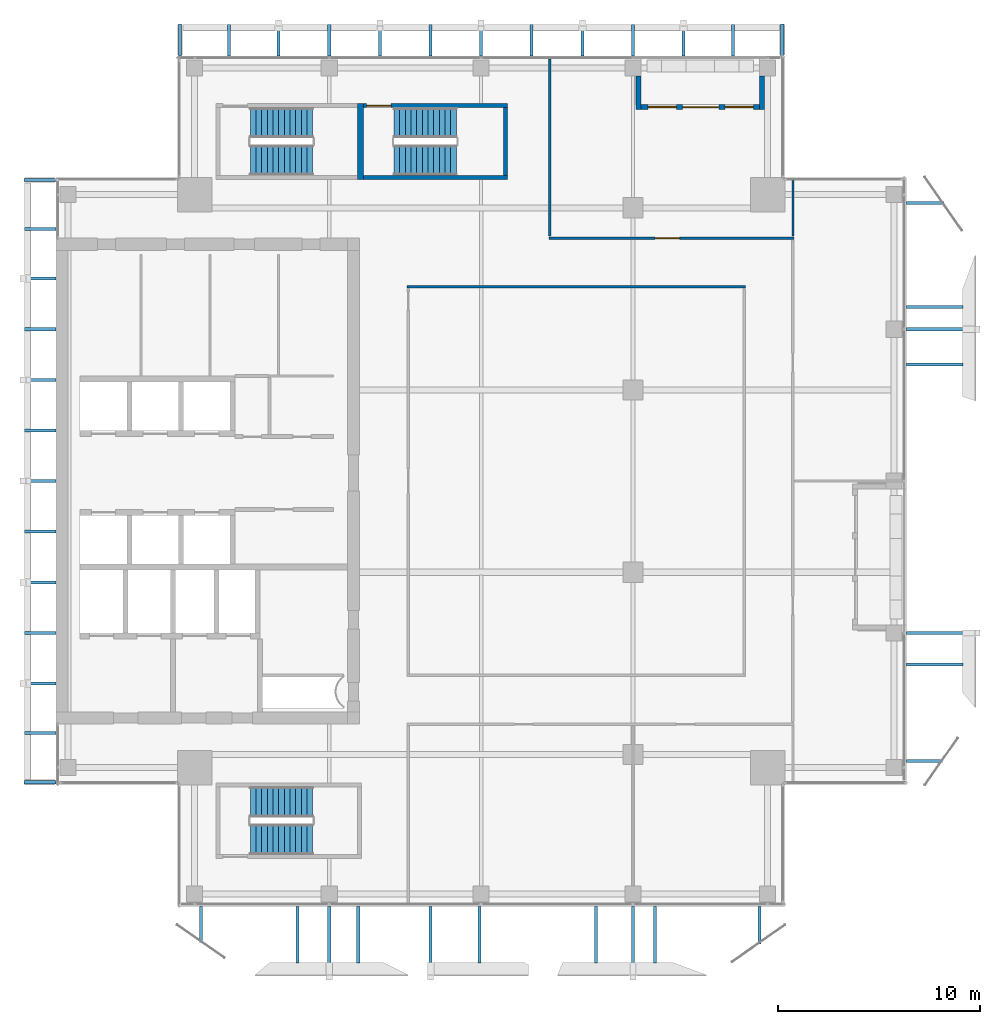
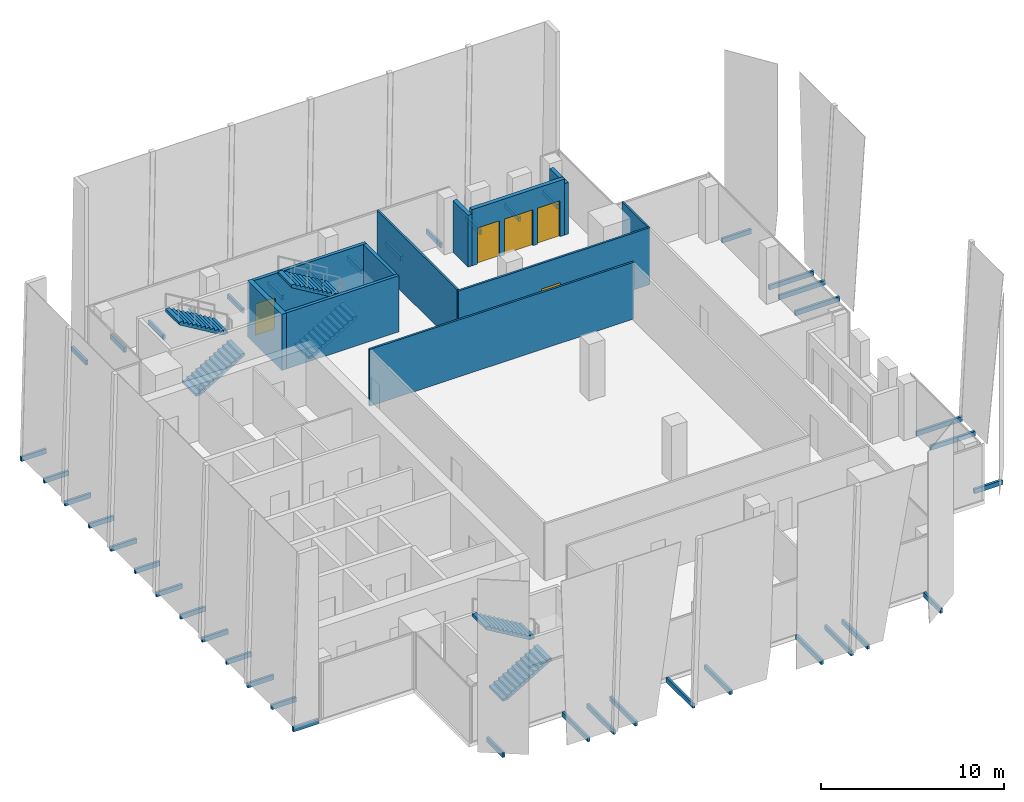
# One storey, part 28 of 32: 43 discrete accessories, 11 walls, 6 stair flights, 3 doors, 2 windows, 5 openings, 3 elements without a shape of their own.
"""IFC4 building model written with IfcOpenShell, lengths in metres."""

from ifc_helpers import new_model, si_unit, direction, frame, frame_2d, origin, origin_2d, place, context, subcontext, project, spatial, polyline, rectangle, outline, extrude, source, transform, mapped, material, layer, layer_set, type_object, element, fill, aggregate, save


model = new_model("IFC4")

# Units and contexts
model_context = context("Model", 3, precision=1e-05, world=origin(), true_north=direction((0.0, 1.0)))
body_context = subcontext(model_context, "Body", "Model", "MODEL_VIEW")
ifc_project = project(units=[si_unit("LENGTHUNIT", "METRE"), si_unit("AREAUNIT", "SQUARE_METRE"), si_unit("VOLUMEUNIT", "CUBIC_METRE"), si_unit("PLANEANGLEUNIT", "RADIAN"), si_unit("MASSUNIT", "GRAM", prefix="KILO")], contexts=[model_context])

# Site, building, storey
site_placement = place(None, origin())
site = spatial("IfcSite", under=ifc_project, at=site_placement, CompositionType="ELEMENT")
building_placement = place(site_placement, origin())
building = spatial("IfcBuilding", under=site, at=building_placement, Name="Khomas Fold Tower", CompositionType="ELEMENT")
storey_placement = place(building_placement, frame((0.0, 0.0, 318.199951171875)))
storey = spatial("IfcBuildingStorey", under=building, at=storey_placement, Name="L72", CompositionType="ELEMENT", Elevation=318.199951171875)

# Wall, opening, door
ifc_material_1 = material(Name="Concrete C50/60", Category="concrete")
ifc_layer_1 = layer(ifc_material_1, 0.199951171875)
ifc_layer_set_1 = layer_set([ifc_layer_1], Name="Concrete C50/60")
wall_type_1 = type_object("IfcWallType", Name="Stair wall 200", PredefinedType="SHEAR", material=ifc_layer_set_1)
shared_shape_1 = source(origin(), body_context, "Body", "SweptSolid", [
    extrude(rectangle(XDim=7.10009765625, YDim=0.199951171875, at=frame_2d((3.550048828125, 0.0))), origin(), (0.0, 0.0, 1.0), 3.75),
])
wall_1_placement = place(storey_placement, frame((21.199951171875, 45.550048828125, 0.0), z_axis=(0.0, 0.0, 1.0), x_axis=(1.0, 0.0, 0.0)))
wall_1 = element("IfcWall", 1, at=wall_1_placement, inside=storey, type_object=wall_type_1, Name="Stair wall SW-ST3-N", PredefinedType="SHEAR", context=body_context, shape_type="MappedRepresentation", body=[
    mapped(shared_shape_1, transform((0.0, 0.0, 0.0))),
])
shared_shape_2 = source(origin(), body_context, "Body", "SweptSolid", [
    extrude(rectangle(XDim=1.199951171875, YDim=2.10009765625, at=frame_2d((0.60009765625, 1.050048828125))), frame((0.0, 0.10986328125, 0.0), z_axis=(0.0, -1.0, 0.0), x_axis=(1.0, 0.0, 0.0)), (0.0, 0.0, 1.0), 0.219970703125),
])
opening_1_placement = place(wall_1_placement, frame((0.14990234375, 0.0, 0.0)))
opening_1 = element("IfcOpeningElement", 2, at=opening_1_placement, cuts=wall_1, Name="Opening SD-ST3", PredefinedType="OPENING", context=body_context, shape_type="MappedRepresentation", body=[
    mapped(shared_shape_2, transform((0.0, 0.0, 0.0))),
])
ifc_material_2 = material(Name="Steel door leaf", Category="steel")
door_type_1 = type_object("IfcDoorType", Name="Stair door 1200x2100 left-hand", OperationType="SINGLE_SWING_LEFT", PredefinedType="DOOR", material=ifc_material_2)
shared_shape_3 = source(origin(), body_context, "Body", "SweptSolid", [
    extrude(rectangle(XDim=1.199951171875, YDim=2.10009765625, at=frame_2d((0.60009765625, 1.050048828125))), frame((0.0, 0.02490234375, 0.0), z_axis=(0.0, -1.0, 0.0), x_axis=(1.0, 0.0, 0.0)), (0.0, 0.0, 1.0), 0.050048828125),
])
door_1_placement = place(opening_1_placement, origin())
door_1 = element("IfcDoor", 3, at=door_1_placement, inside=storey, type_object=door_type_1, Name="Stair door", OperationType="SINGLE_SWING_LEFT", OverallHeight=2.10009765625, OverallWidth=1.199951171875, PredefinedType="DOOR", context=body_context, shape_type="MappedRepresentation", body=[
    mapped(shared_shape_3, transform((0.0, 0.0, 0.0))),
])
fill(opening_1, door_1)

# Walls
wall_2_placement = place(storey_placement, frame((21.199951171875, 42.0, 0.0), z_axis=(0.0, 0.0, 1.0), x_axis=(1.0, 0.0, 0.0)))
element("IfcWall", 4, at=wall_2_placement, inside=storey, type_object=wall_type_1, Name="Stair wall SW-ST3-S", PredefinedType="SHEAR", context=body_context, shape_type="MappedRepresentation", body=[
    mapped(shared_shape_1, transform((0.0, 0.0, 0.0))),
])
ifc_material_3 = material(Name="Concrete C50/60", Category="concrete")
ifc_layer_2 = layer(ifc_material_3, 0.300048828125)
ifc_layer_set_2 = layer_set([ifc_layer_2], Name="Concrete C50/60")
wall_type_2 = type_object("IfcWallType", Name="Stair wall 300", PredefinedType="SHEAR", material=ifc_layer_set_2)
shared_shape_4 = source(origin(), body_context, "Body", "SweptSolid", [
    extrude(rectangle(XDim=3.75, YDim=0.300048828125, at=frame_2d((1.875, 0.0))), origin(), (0.0, 0.0, 1.0), 3.75),
])
wall_3_placement = place(storey_placement, frame((21.050048828125, 41.89990234375, 0.0), z_axis=(0.0, 0.0, 1.0), x_axis=(0.0, 1.0, 0.0)))
element("IfcWall", 5, at=wall_3_placement, inside=storey, type_object=wall_type_2, Name="Stair wall SW-ST1-E", PredefinedType="SHEAR", context=body_context, shape_type="MappedRepresentation", body=[
    mapped(shared_shape_4, transform((0.0, 0.0, 0.0))),
])
shared_shape_5 = source(origin(), body_context, "Body", "SweptSolid", [
    extrude(rectangle(XDim=3.349853515625, YDim=0.199951171875, at=frame_2d((1.6748046875, 0.0))), origin(), (0.0, 0.0, 1.0), 3.75),
])
wall_4_placement = place(storey_placement, frame((28.199951171875, 42.10009765625, 0.0), z_axis=(0.0, 0.0, 1.0), x_axis=(0.0, 1.0, 0.0)))
element("IfcWall", 6, at=wall_4_placement, inside=storey, type_object=wall_type_1, Name="Stair wall SW-ST3-E", PredefinedType="SHEAR", context=body_context, shape_type="MappedRepresentation", body=[
    mapped(shared_shape_5, transform((0.0, 0.0, 0.0))),
])

# Wall, openings, door, windows
ifc_material_4 = material(Name="Natural stone", Category="masonry")
ifc_layer_3 = layer(ifc_material_4, 0.0400390625)
ifc_material_5 = material(Name="Mineral wool insulation", Category="insulation")
ifc_layer_4 = layer(ifc_material_5, 0.10009765625)
ifc_material_6 = material(Name="Masonry", Category="masonry")
ifc_layer_5 = layer(ifc_material_6, 0.110107421875)
ifc_layer_set_3 = layer_set([ifc_layer_3, ifc_layer_4, ifc_layer_5], Name="Stone-faced insulated masonry")
wall_type_3 = type_object("IfcWallType", Name="BL-Balcony wall", PredefinedType="SOLIDWALL", material=ifc_layer_set_3)
shared_shape_6 = source(origin(), body_context, "Body", "SweptSolid", [
    extrude(rectangle(XDim=5.85009765625, YDim=0.25, at=frame_2d((2.925048828125, 0.0))), origin(), (0.0, 0.0, 1.0), 3.75),
])
wall_5_placement = place(storey_placement, frame((34.89990234375, 45.47509765625, 0.0), z_axis=(0.0, 0.0, 1.0), x_axis=(1.0, 0.0, 0.0)))
wall_5 = element("IfcWall", 7, at=wall_5_placement, inside=storey, type_object=wall_type_3, Name="Balcony wall BAL-L72-N4", PredefinedType="SOLIDWALL", context=body_context, shape_type="MappedRepresentation", body=[
    mapped(shared_shape_6, transform((0.0, 0.0, 0.0))),
])
shared_shape_7 = source(origin(), body_context, "Body", "SweptSolid", [
    extrude(rectangle(XDim=1.39990234375, YDim=2.39990234375, at=frame_2d((0.699951171875, 1.199951171875))), frame((0.0, 0.135009765625, 0.0), z_axis=(0.0, -1.0, 0.0), x_axis=(1.0, 0.0, 0.0)), (0.0, 0.0, 1.0), 0.27001953125),
])
opening_2_placement = place(wall_5_placement, frame((0.35009765625, 0.0, 0.0)))
opening_2 = element("IfcOpeningElement", 8, at=opening_2_placement, cuts=wall_5, Name="Opening BL-W6", PredefinedType="OPENING", context=body_context, shape_type="MappedRepresentation", body=[
    mapped(shared_shape_7, transform((0.0, 0.0, 0.0))),
])
opening_3_placement = place(wall_5_placement, frame((4.14990234375, 0.0, 0.0)))
opening_3 = element("IfcOpeningElement", 9, at=opening_3_placement, cuts=wall_5, Name="Opening BL-W6", PredefinedType="OPENING", context=body_context, shape_type="MappedRepresentation", body=[
    mapped(shared_shape_7, transform((0.0, 0.0, 0.0))),
])
shared_shape_8 = source(origin(), body_context, "Body", "SweptSolid", [
    extrude(rectangle(XDim=1.800048828125, YDim=2.39990234375, at=frame_2d((0.89990234375, 1.199951171875))), frame((0.0, 0.135009765625, 0.0), z_axis=(0.0, -1.0, 0.0), x_axis=(1.0, 0.0, 0.0)), (0.0, 0.0, 1.0), 0.27001953125),
])
opening_4_placement = place(wall_5_placement, frame((2.050048828125, 0.0, 0.0)))
opening_4 = element("IfcOpeningElement", 10, at=opening_4_placement, cuts=wall_5, Name="Opening BD722", PredefinedType="OPENING", context=body_context, shape_type="MappedRepresentation", body=[
    mapped(shared_shape_8, transform((0.0, 0.0, 0.0))),
])
ifc_material_7 = material(Name="Aluminium framed double glazing", Category="aluminium")
door_type_2 = type_object("IfcDoorType", Name="BL-Glazed balcony door 1800 x 2400", OperationType="DOUBLE_DOOR_DOUBLE_SWING", PredefinedType="DOOR", material=ifc_material_7)
shared_shape_9 = source(origin(), body_context, "Body", "SweptSolid", [
    extrude(rectangle(XDim=1.800048828125, YDim=2.39990234375, at=frame_2d((0.89990234375, 1.199951171875))), frame((0.0, 0.02490234375, 0.0), z_axis=(0.0, -1.0, 0.0), x_axis=(1.0, 0.0, 0.0)), (0.0, 0.0, 1.0), 0.050048828125),
])
door_2_placement = place(opening_4_placement, origin())
door_2 = element("IfcDoor", 11, at=door_2_placement, inside=storey, type_object=door_type_2, Name="Balcony door BD722", OperationType="DOUBLE_DOOR_DOUBLE_SWING", OverallHeight=2.39990234375, OverallWidth=1.800048828125, PredefinedType="DOOR", context=body_context, shape_type="MappedRepresentation", body=[
    mapped(shared_shape_9, transform((0.0, 0.0, 0.0))),
])
fill(opening_4, door_2)
ifc_material_8 = material(Name="Aluminium framed double glazing", Category="aluminium")
window_type = type_object("IfcWindowType", Name="BL-Fixed glazing 1400 x 2400", PartitioningType="SINGLE_PANEL", PredefinedType="WINDOW", material=ifc_material_8)
shared_shape_10 = source(origin(), body_context, "Body", "SweptSolid", [
    extrude(rectangle(XDim=1.39990234375, YDim=2.39990234375, at=frame_2d((0.699951171875, 1.199951171875))), frame((0.0, 0.030029296875, 0.0), z_axis=(0.0, -1.0, 0.0), x_axis=(1.0, 0.0, 0.0)), (0.0, 0.0, 1.0), 0.06005859375),
])
window_1_placement = place(opening_2_placement, origin())
window_1 = element("IfcWindow", 12, at=window_1_placement, inside=storey, type_object=window_type, Name="Balcony glazing BAL-L72-N4-1", OverallHeight=2.39990234375, OverallWidth=1.39990234375, PartitioningType="SINGLE_PANEL", PredefinedType="WINDOW", context=body_context, shape_type="MappedRepresentation", body=[
    mapped(shared_shape_10, transform((0.0, 0.0, 0.0))),
])
fill(opening_2, window_1)
window_2_placement = place(opening_3_placement, origin())
window_2 = element("IfcWindow", 13, at=window_2_placement, inside=storey, type_object=window_type, Name="Balcony glazing BAL-L72-N4-2", OverallHeight=2.39990234375, OverallWidth=1.39990234375, PartitioningType="SINGLE_PANEL", PredefinedType="WINDOW", context=body_context, shape_type="MappedRepresentation", body=[
    mapped(shared_shape_10, transform((0.0, 0.0, 0.0))),
])
fill(opening_3, window_2)

# Walls
shared_shape_11 = source(origin(), body_context, "Body", "SweptSolid", [
    extrude(rectangle(XDim=1.64990234375, YDim=0.25, at=frame_2d((0.824951171875, 0.0))), origin(), (0.0, 0.0, 1.0), 3.449951171875),
])
for number, where, z_axis, x_axis, name in (
    (14, (34.77490234375, 47.0, 0.0), (0.0, 0.0, 1.0), (0.0, -1.0, 0.0), "Balcony return wall BAL-L72-N4-lo"),
    (15, (40.875, 47.0, 0.0), (0.0, 0.0, 1.0), (0.0, -1.0, 0.0), "Balcony return wall BAL-L72-N4-hi"),
):
    element("IfcWall", number, at=place(storey_placement, frame(where, z_axis=z_axis, x_axis=x_axis)), inside=storey, type_object=wall_type_3, Name=name, PredefinedType="SOLIDWALL", context=body_context, shape_type="MappedRepresentation", body=[
        mapped(shared_shape_11, transform((0.0, 0.0, 0.0))),
    ])
ifc_material_9 = material(Name="Plasterboard partition")
ifc_layer_6 = layer(ifc_material_9, 0.125)
ifc_layer_set_4 = layer_set([ifc_layer_6], Name="Plasterboard partition")
wall_type_4 = type_object("IfcWallType", Name="Partition PW2 125", PredefinedType="PARTITIONING", material=ifc_layer_set_4)
shared_shape_12 = source(origin(), body_context, "Body", "SweptSolid", [
    extrude(rectangle(XDim=8.75, YDim=0.125, at=frame_2d((4.375, 0.0))), origin(), (0.0, 0.0, 1.0), 3.800048828125),
])
wall_6_placement = place(storey_placement, frame((30.39990234375, 39.10009765625, 0.0), z_axis=(0.0, 0.0, 1.0), x_axis=(0.0, 1.0, 0.0)))
element("IfcWall", 16, at=wall_6_placement, inside=storey, type_object=wall_type_4, Name="Partition", PredefinedType="PARTITIONING", context=body_context, shape_type="MappedRepresentation", body=[
    mapped(shared_shape_12, transform((0.0, 0.0, 0.0))),
])
ifc_material_10 = material(Name="Plasterboard partition")
ifc_layer_7 = layer(ifc_material_10, 0.10009765625)
ifc_layer_set_5 = layer_set([ifc_layer_7], Name="Plasterboard partition")
wall_type_5 = type_object("IfcWallType", Name="Partition PW1 100", PredefinedType="PARTITIONING", material=ifc_layer_set_5)
shared_shape_13 = source(origin(), body_context, "Body", "SweptSolid", [
    extrude(rectangle(XDim=2.75, YDim=0.10009765625, at=frame_2d((1.375, 0.0))), origin(), (0.0, 0.0, 1.0), 3.800048828125),
])
wall_7_placement = place(storey_placement, frame((42.39990234375, 39.10009765625, 0.0), z_axis=(0.0, 0.0, 1.0), x_axis=(0.0, 1.0, 0.0)))
element("IfcWall", 17, at=wall_7_placement, inside=storey, type_object=wall_type_5, Name="Partition", PredefinedType="PARTITIONING", context=body_context, shape_type="MappedRepresentation", body=[
    mapped(shared_shape_13, transform((0.0, 0.0, 0.0))),
])
shared_shape_14 = source(origin(), body_context, "Body", "SweptSolid", [
    extrude(rectangle(XDim=16.699951171875, YDim=0.125, at=frame_2d((8.35009765625, 0.0))), origin(), (0.0, 0.0, 1.0), 3.800048828125),
])
wall_8_placement = place(storey_placement, frame((23.35009765625, 36.60009765625, 0.0), z_axis=(0.0, 0.0, 1.0), x_axis=(1.0, 0.0, 0.0)))
element("IfcWall", 18, at=wall_8_placement, inside=storey, type_object=wall_type_4, Name="Partition", PredefinedType="PARTITIONING", context=body_context, shape_type="MappedRepresentation", body=[
    mapped(shared_shape_14, transform((0.0, 0.0, 0.0))),
])

# Wall, opening, door
shared_shape_15 = source(origin(), body_context, "Body", "SweptSolid", [
    extrude(rectangle(XDim=12.099853515625, YDim=0.125, at=frame_2d((6.0498046875, 0.0))), origin(), (0.0, 0.0, 1.0), 3.800048828125),
])
wall_9_placement = place(storey_placement, frame((30.35009765625, 39.0, 0.0), z_axis=(0.0, 0.0, 1.0), x_axis=(1.0, 0.0, 0.0)))
wall_9 = element("IfcWall", 19, at=wall_9_placement, inside=storey, type_object=wall_type_4, Name="Partition", PredefinedType="PARTITIONING", context=body_context, shape_type="MappedRepresentation", body=[
    mapped(shared_shape_15, transform((0.0, 0.0, 0.0))),
])
shared_shape_16 = source(origin(), body_context, "Body", "SweptSolid", [
    extrude(rectangle(XDim=1.199951171875, YDim=2.10009765625, at=frame_2d((0.60009765625, 1.050048828125))), frame((0.0, 0.072509765625, 0.0), z_axis=(0.0, -1.0, 0.0), x_axis=(1.0, 0.0, 0.0)), (0.0, 0.0, 1.0), 0.14501953125),
])
opening_5_placement = place(wall_9_placement, frame((5.25, 0.0, 0.0)))
opening_5 = element("IfcOpeningElement", 20, at=opening_5_placement, cuts=wall_9, Name="Opening 0013", PredefinedType="OPENING", context=body_context, shape_type="MappedRepresentation", body=[
    mapped(shared_shape_16, transform((0.0, 0.0, 0.0))),
])
ifc_material_11 = material(Name="Timber door leaf", Category="wood")
door_type_3 = type_object("IfcDoorType", Name="Door 1200x2100 left-hand", OperationType="SINGLE_SWING_LEFT", PredefinedType="DOOR", material=ifc_material_11)
door_3_placement = place(opening_5_placement, origin())
door_3 = element("IfcDoor", 21, at=door_3_placement, inside=storey, type_object=door_type_3, Name="Door", OperationType="SINGLE_SWING_LEFT", OverallHeight=2.10009765625, OverallWidth=1.199951171875, PredefinedType="DOOR", context=body_context, shape_type="MappedRepresentation", body=[
    mapped(shared_shape_3, transform((0.0, 0.0, 0.0))),
])
fill(opening_5, door_3)

# Stair, stair flights
ifc_material_12 = material(Name="Concrete C40/50", Category="concrete")
stair_type_1 = type_object("IfcStairType", Name="Stair ST1", PredefinedType="HALF_TURN_STAIR", material=ifc_material_12)
stair_1_placement = place(storey_placement, origin())
stair_1 = element("IfcStair", 22, at=stair_1_placement, inside=storey, type_object=stair_type_1, Name="L72 ST1", PredefinedType="HALF_TURN_STAIR")
ifc_material_13 = material(Name="Concrete C40/50", Category="concrete")
stair_flight_type_1 = type_object("IfcStairFlightType", Name="Stair flight 1500 ST1", PredefinedType="STRAIGHT", material=ifc_material_13)
shared_shape_17 = source(origin(), body_context, "Body", "SweptSolid", [
    extrude(outline(polyline([(0.0, 0.0), (0.0, 0.012939453125), (0.0, 0.025634765625), (0.0, 0.03857421875), (0.0, 0.05126953125), (0.0, 0.064208984375), (0.0, 0.076904296875), (0.0, 0.08984375), (0.0, 0.1025390625), (0.0, 0.115478515625), (0.0, 0.128173828125), (0.0, 0.14111328125), (0.0, 0.15380859375), (0.0, 0.166748046875), (0.280029296875, 0.166748046875), (0.280029296875, 0.333251953125), (0.56005859375, 0.333251953125), (0.56005859375, 0.5), (0.840087890625, 0.5), (0.840087890625, 0.666748046875), (1.1201171875, 0.666748046875), (1.1201171875, 0.833251953125), (1.39990234375, 0.833251953125), (1.39990234375, 1.0), (1.679931640625, 1.0), (1.679931640625, 1.166748046875), (1.9599609375, 1.166748046875), (1.9599609375, 1.333251953125), (2.239990234375, 1.333251953125), (2.239990234375, 1.5), (2.52001953125, 1.5), (2.52001953125, 1.666748046875), (2.800048828125, 1.666748046875), (2.800048828125, 1.833251953125), (3.080078125, 1.833251953125), (3.080078125, 2.0), (3.080078125, 1.973876953125), (3.080078125, 1.947509765625), (3.080078125, 1.92138671875), (3.080078125, 1.89501953125), (3.080078125, 1.868896484375), (3.080078125, 1.842529296875), (3.080078125, 1.81640625), (3.080078125, 1.7900390625), (3.080078125, 1.763916015625), (3.080078125, 1.737548828125), (3.080078125, 1.71142578125), (3.080078125, 1.68505859375), (3.080078125, 1.658935546875), (0.29296875, 0.0), (0.0, 0.0)])), frame((0.0, 0.75, 0.0), z_axis=(0.0, -1.0, 0.0), x_axis=(1.0, 0.0, 0.0)), (0.0, 0.0, 1.0), 1.5),
])
stair_flight_1_placement = place(storey_placement, frame((15.60009765625, 42.85009765625, 0.0), z_axis=(0.0, 0.0, 1.0), x_axis=(1.0, 0.0, 0.0)))
stair_flight_1 = element("IfcStairFlight", 23, at=stair_flight_1_placement, type_object=stair_flight_type_1, Name="ST1 flight 1", NumberOfRisers=12, NumberOfTreads=11, PredefinedType="STRAIGHT", RiserHeight=0.166666667, TreadLength=0.28, context=body_context, shape_type="MappedRepresentation", body=[
    mapped(shared_shape_17, transform((0.0, 0.0, 0.0))),
])
stair_flight_2_placement = place(storey_placement, frame((18.679931640625, 44.699951171875, 2.0), z_axis=(0.0, 0.0, 1.0), x_axis=(-1.0, 0.0, 0.0)))
stair_flight_2 = element("IfcStairFlight", 24, at=stair_flight_2_placement, type_object=stair_flight_type_1, Name="ST1 flight 2", NumberOfRisers=12, NumberOfTreads=11, PredefinedType="STRAIGHT", RiserHeight=0.166666667, TreadLength=0.28, context=body_context, shape_type="MappedRepresentation", body=[
    mapped(shared_shape_17, transform((0.0, 0.0, 0.0))),
])
aggregate(stair_1, [stair_flight_1, stair_flight_2])

ifc_material_14 = material(Name="Concrete C40/50", Category="concrete")
stair_type_2 = type_object("IfcStairType", Name="Stair ST2", PredefinedType="HALF_TURN_STAIR", material=ifc_material_14)
stair_2_placement = place(storey_placement, origin())
stair_2 = element("IfcStair", 25, at=stair_2_placement, inside=storey, type_object=stair_type_2, Name="L72 ST2", PredefinedType="HALF_TURN_STAIR")
ifc_material_15 = material(Name="Concrete C40/50", Category="concrete")
stair_flight_type_2 = type_object("IfcStairFlightType", Name="Stair flight 1500 ST2", PredefinedType="STRAIGHT", material=ifc_material_15)
stair_flight_3_placement = place(storey_placement, frame((15.60009765625, 9.300048828125, 0.0), z_axis=(0.0, 0.0, 1.0), x_axis=(1.0, 0.0, 0.0)))
stair_flight_3 = element("IfcStairFlight", 26, at=stair_flight_3_placement, type_object=stair_flight_type_2, Name="ST2 flight 1", NumberOfRisers=12, NumberOfTreads=11, PredefinedType="STRAIGHT", RiserHeight=0.166666667, TreadLength=0.28, context=body_context, shape_type="MappedRepresentation", body=[
    mapped(shared_shape_17, transform((0.0, 0.0, 0.0))),
])
stair_flight_4_placement = place(storey_placement, frame((18.679931640625, 11.14990234375, 2.0), z_axis=(0.0, 0.0, 1.0), x_axis=(-1.0, 0.0, 0.0)))
stair_flight_4 = element("IfcStairFlight", 27, at=stair_flight_4_placement, type_object=stair_flight_type_2, Name="ST2 flight 2", NumberOfRisers=12, NumberOfTreads=11, PredefinedType="STRAIGHT", RiserHeight=0.166666667, TreadLength=0.28, context=body_context, shape_type="MappedRepresentation", body=[
    mapped(shared_shape_17, transform((0.0, 0.0, 0.0))),
])
aggregate(stair_2, [stair_flight_3, stair_flight_4])

ifc_material_16 = material(Name="Concrete C40/50", Category="concrete")
stair_type_3 = type_object("IfcStairType", Name="Stair ST3", PredefinedType="HALF_TURN_STAIR", material=ifc_material_16)
stair_3_placement = place(storey_placement, origin())
stair_3 = element("IfcStair", 28, at=stair_3_placement, inside=storey, type_object=stair_type_3, Name="L72 ST3", PredefinedType="HALF_TURN_STAIR")
ifc_material_17 = material(Name="Concrete C40/50", Category="concrete")
stair_flight_type_3 = type_object("IfcStairFlightType", Name="Stair flight 1500 ST3", PredefinedType="STRAIGHT", material=ifc_material_17)
stair_flight_5_placement = place(storey_placement, frame((22.699951171875, 42.85009765625, 0.0), z_axis=(0.0, 0.0, 1.0), x_axis=(1.0, 0.0, 0.0)))
stair_flight_5 = element("IfcStairFlight", 29, at=stair_flight_5_placement, type_object=stair_flight_type_3, Name="ST3 flight 1", NumberOfRisers=12, NumberOfTreads=11, PredefinedType="STRAIGHT", RiserHeight=0.166666667, TreadLength=0.28, context=body_context, shape_type="MappedRepresentation", body=[
    mapped(shared_shape_17, transform((0.0, 0.0, 0.0))),
])
stair_flight_6_placement = place(storey_placement, frame((25.780029296875, 44.699951171875, 2.0), z_axis=(0.0, 0.0, 1.0), x_axis=(-1.0, 0.0, 0.0)))
stair_flight_6 = element("IfcStairFlight", 30, at=stair_flight_6_placement, type_object=stair_flight_type_3, Name="ST3 flight 2", NumberOfRisers=12, NumberOfTreads=11, PredefinedType="STRAIGHT", RiserHeight=0.166666667, TreadLength=0.28, context=body_context, shape_type="MappedRepresentation", body=[
    mapped(shared_shape_17, transform((0.0, 0.0, 0.0))),
])
aggregate(stair_3, [stair_flight_5, stair_flight_6])

# Discrete accessories
ifc_material_18 = material(Name="Stainless steel", Category="steel")
discrete_accessory_type = type_object("IfcDiscreteAccessoryType", Name="SK-Stainless steel stone bracket", PredefinedType="BRACKET", material=ifc_material_18)
shared_shape_18 = source(origin(), body_context, "Body", "SweptSolid", [
    extrude(rectangle(XDim=2.813232421875, YDim=0.14990234375, at=origin_2d()), origin(), (0.0, 0.0, 1.0), 0.31005859375),
])
for number, where, z_axis, x_axis, name in (
    (31, (17.93798828125, 4.59326171875, -0.25), (0.0, 0.0, 1.0), (0.0, -1.0, 0.0), "Stone bracket L72 SG099-2-1"),
    (32, (20.93115234375, 4.59326171875, -0.25), (0.0, 0.0, 1.0), (0.0, -1.0, 0.0), "Stone bracket L72 SG100-4-1"),
    (33, (26.91357421875, 4.59326171875, -0.25), (0.0, 0.0, 1.0), (0.0, -1.0, 0.0), "Stone bracket L72 SG101-6-1"),
    (34, (32.67724609375, 4.59326171875, -0.25), (0.0, 0.0, 1.0), (0.0, -1.0, 0.0), "Stone bracket L72 SG102-7-1"),
    (35, (35.5888671875, 4.59326171875, -0.25), (0.0, 0.0, 1.0), (0.0, -1.0, 0.0), "Stone bracket L72 SG103-9-1"),
    (36, (49.40673828125, 17.93798828125, -0.25), (0.0, 0.0, 1.0), (1.0, 0.0, 0.0), "Stone bracket L72 EG099-2-1"),
    (37, (49.40673828125, 32.74951171875, -0.25), (0.0, 0.0, 1.0), (1.0, 0.0, 0.0), "Stone bracket L72 EG102-4-1"),
    (38, (49.40673828125, 35.5888671875, -0.25), (0.0, 0.0, 1.0), (1.0, 0.0, 0.0), "Stone bracket L72 EG103-6-1"),
):
    element("IfcDiscreteAccessory", number, at=place(storey_placement, frame(where, z_axis=z_axis, x_axis=x_axis)), inside=storey, type_object=discrete_accessory_type, Name=name, PredefinedType="BRACKET", context=body_context, shape_type="MappedRepresentation", body=[
        mapped(shared_shape_18, transform((0.0, 0.0, 0.0))),
    ])
shared_shape_19 = source(origin(), body_context, "Body", "SweptSolid", [
    extrude(rectangle(XDim=2.908203125, YDim=0.14990234375, at=origin_2d()), origin(), (0.0, 0.0, 1.0), 0.31005859375),
])
for number, where, z_axis, x_axis, name in (
    (39, (19.5, 4.5458984375, -0.25), (0.0, 0.0, 1.0), (0.0, -1.0, 0.0), "Stone bracket L72 SM100-3-1"),
    (40, (24.504150390625, 4.5458984375, -0.25), (0.0, 0.0, 1.0), (0.0, -1.0, 0.0), "Stone bracket L72 SM101-5-1"),
    (41, (34.5, 4.5458984375, -0.25), (0.0, 0.0, 1.0), (0.0, -1.0, 0.0), "Stone bracket L72 SM103-8-1"),
    (42, (49.4541015625, 19.5, -0.25), (0.0, 0.0, 1.0), (1.0, 0.0, 0.0), "Stone bracket L72 EM100-3-1"),
    (43, (49.4541015625, 34.5, -0.25), (0.0, 0.0, 1.0), (1.0, 0.0, 0.0), "Stone bracket L72 EM103-5-1"),
):
    element("IfcDiscreteAccessory", number, at=place(storey_placement, frame(where, z_axis=z_axis, x_axis=x_axis)), inside=storey, type_object=discrete_accessory_type, Name=name, PredefinedType="BRACKET", context=body_context, shape_type="MappedRepresentation", body=[
        mapped(shared_shape_19, transform((0.0, 0.0, 0.0))),
    ])
shared_shape_20 = source(origin(), body_context, "Body", "SweptSolid", [
    extrude(rectangle(XDim=1.79150390625, YDim=0.14990234375, at=origin_2d()), origin(), (0.0, 0.0, 1.0), 0.31005859375),
])
for number, where, z_axis, x_axis, name in (
    (44, (13.1650390625, 5.104248046875, -0.25), (0.0, 0.0, 1.0), (0.0, -1.0, 0.0), "Stone bracket L72 SG098-1-1"),
    (45, (48.895751953125, 13.1650390625, -0.25), (0.0, 0.0, 1.0), (1.0, 0.0, 0.0), "Stone bracket L72 EG098-1-1"),
):
    element("IfcDiscreteAccessory", number, at=place(storey_placement, frame(where, z_axis=z_axis, x_axis=x_axis)), inside=storey, type_object=discrete_accessory_type, Name=name, PredefinedType="BRACKET", context=body_context, shape_type="MappedRepresentation", body=[
        mapped(shared_shape_20, transform((0.0, 0.0, 0.0))),
    ])
shared_shape_21 = source(origin(), body_context, "Body", "SweptSolid", [
    extrude(rectangle(XDim=1.8525390625, YDim=0.14990234375, at=origin_2d()), origin(), (0.0, 0.0, 1.0), 0.31005859375),
])
for number, where, z_axis, x_axis, name in (
    (46, (40.74755859375, 5.07373046875, -0.25), (0.0, 0.0, 1.0), (0.0, -1.0, 0.0), "Stone bracket L72 SG104-10-1"),
    (47, (48.92626953125, 40.74755859375, -0.25), (0.0, 0.0, 1.0), (1.0, 0.0, 0.0), "Stone bracket L72 EG104-7-1"),
):
    element("IfcDiscreteAccessory", number, at=place(storey_placement, frame(where, z_axis=z_axis, x_axis=x_axis)), inside=storey, type_object=discrete_accessory_type, Name=name, PredefinedType="BRACKET", context=body_context, shape_type="MappedRepresentation", body=[
        mapped(shared_shape_21, transform((0.0, 0.0, 0.0))),
    ])
shared_shape_22 = source(origin(), body_context, "Body", "SweptSolid", [
    extrude(rectangle(XDim=1.5498046875, YDim=0.14990234375, at=origin_2d()), origin(), (0.0, 0.0, 1.0), 0.31005859375),
])
for number, where, z_axis, x_axis, name in (
    (48, (14.550048828125, 48.77490234375, -0.25), (0.0, 0.0, 1.0), (0.0, 1.0, 0.0), "Stone bracket L72 PLNG01"),
    (49, (19.5, 48.77490234375, -0.25), (0.0, 0.0, 1.0), (0.0, 1.0, 0.0), "Stone bracket L72 PLNG03"),
    (50, (24.5, 48.77490234375, -0.25), (0.0, 0.0, 1.0), (0.0, 1.0, 0.0), "Stone bracket L72 PLNG05"),
    (51, (29.5, 48.77490234375, -0.25), (0.0, 0.0, 1.0), (0.0, 1.0, 0.0), "Stone bracket L72 PLNG07"),
    (52, (34.5, 48.77490234375, -0.25), (0.0, 0.0, 1.0), (0.0, 1.0, 0.0), "Stone bracket L72 PLNG09"),
    (53, (39.449951171875, 48.77490234375, -0.25), (0.0, 0.0, 1.0), (0.0, 1.0, 0.0), "Stone bracket L72 PLNG11"),
    (54, (5.22509765625, 14.550048828125, -0.25), (0.0, 0.0, 1.0), (-1.0, 0.0, 0.0), "Stone bracket L72 PLWG01"),
    (55, (5.22509765625, 19.5, -0.25), (0.0, 0.0, 1.0), (-1.0, 0.0, 0.0), "Stone bracket L72 PLWG03"),
    (56, (5.22509765625, 24.5, -0.25), (0.0, 0.0, 1.0), (-1.0, 0.0, 0.0), "Stone bracket L72 PLWG05"),
    (57, (5.22509765625, 29.5, -0.25), (0.0, 0.0, 1.0), (-1.0, 0.0, 0.0), "Stone bracket L72 PLWG07"),
    (58, (5.22509765625, 34.5, -0.25), (0.0, 0.0, 1.0), (-1.0, 0.0, 0.0), "Stone bracket L72 PLWG09"),
    (59, (5.22509765625, 39.449951171875, -0.25), (0.0, 0.0, 1.0), (-1.0, 0.0, 0.0), "Stone bracket L72 PLWG11"),
):
    element("IfcDiscreteAccessory", number, at=place(storey_placement, frame(where, z_axis=z_axis, x_axis=x_axis)), inside=storey, type_object=discrete_accessory_type, Name=name, PredefinedType="BRACKET", context=body_context, shape_type="MappedRepresentation", body=[
        mapped(shared_shape_22, transform((0.0, 0.0, 0.0))),
    ])
shared_shape_23 = source(origin(), body_context, "Body", "SweptSolid", [
    extrude(rectangle(XDim=1.644775390625, YDim=0.14990234375, at=origin_2d()), origin(), (0.0, 0.0, 1.0), 0.31005859375),
])
for number, where, z_axis, x_axis, name in (
    (60, (17.0, 48.822265625, -0.25), (0.0, 0.0, 1.0), (0.0, 1.0, 0.0), "Stone bracket L72 PLNM02"),
    (61, (22.0, 48.822265625, -0.25), (0.0, 0.0, 1.0), (0.0, 1.0, 0.0), "Stone bracket L72 PLNM04"),
    (62, (27.0, 48.822265625, -0.25), (0.0, 0.0, 1.0), (0.0, 1.0, 0.0), "Stone bracket L72 PLNM06"),
    (63, (32.0, 48.822265625, -0.25), (0.0, 0.0, 1.0), (0.0, 1.0, 0.0), "Stone bracket L72 PLNM08"),
    (64, (37.0, 48.822265625, -0.25), (0.0, 0.0, 1.0), (0.0, 1.0, 0.0), "Stone bracket L72 PLNM10"),
    (65, (5.177734375, 17.0, -0.25), (0.0, 0.0, 1.0), (-1.0, 0.0, 0.0), "Stone bracket L72 PLWM02"),
    (66, (5.177734375, 22.0, -0.25), (0.0, 0.0, 1.0), (-1.0, 0.0, 0.0), "Stone bracket L72 PLWM04"),
    (67, (5.177734375, 27.0, -0.25), (0.0, 0.0, 1.0), (-1.0, 0.0, 0.0), "Stone bracket L72 PLWM06"),
    (68, (5.177734375, 32.0, -0.25), (0.0, 0.0, 1.0), (-1.0, 0.0, 0.0), "Stone bracket L72 PLWM08"),
    (69, (5.177734375, 37.0, -0.25), (0.0, 0.0, 1.0), (-1.0, 0.0, 0.0), "Stone bracket L72 PLWM10"),
):
    element("IfcDiscreteAccessory", number, at=place(storey_placement, frame(where, z_axis=z_axis, x_axis=x_axis)), inside=storey, type_object=discrete_accessory_type, Name=name, PredefinedType="BRACKET", context=body_context, shape_type="MappedRepresentation", body=[
        mapped(shared_shape_23, transform((0.0, 0.0, 0.0))),
    ])
shared_shape_24 = source(origin(), body_context, "Body", "SweptSolid", [
    extrude(rectangle(XDim=1.58984375, YDim=0.14990234375, at=origin_2d()), origin(), (0.0, 0.0, 1.0), 0.31005859375),
])
for number, where, z_axis, x_axis, name in (
    (70, (12.125, 48.794921875, -0.25), (0.0, 0.0, 1.0), (0.0, 1.0, 0.0), "Stone bracket L72 PLNR1"),
    (71, (41.875, 48.794921875, -0.25), (0.0, 0.0, 1.0), (0.0, 1.0, 0.0), "Stone bracket L72 PLNR2"),
    (72, (5.205078125, 12.125, -0.25), (0.0, 0.0, 1.0), (-1.0, 0.0, 0.0), "Stone bracket L72 PLWR1"),
    (73, (5.205078125, 41.875, -0.25), (0.0, 0.0, 1.0), (-1.0, 0.0, 0.0), "Stone bracket L72 PLWR2"),
):
    element("IfcDiscreteAccessory", number, at=place(storey_placement, frame(where, z_axis=z_axis, x_axis=x_axis)), inside=storey, type_object=discrete_accessory_type, Name=name, PredefinedType="BRACKET", context=body_context, shape_type="MappedRepresentation", body=[
        mapped(shared_shape_24, transform((0.0, 0.0, 0.0))),
    ])

save(model, "model.ifc")
